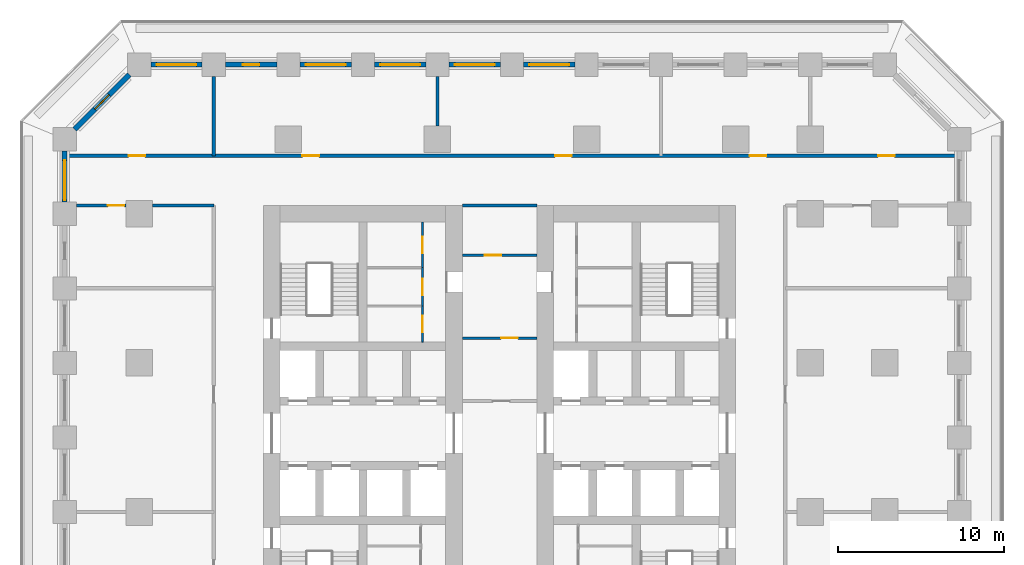
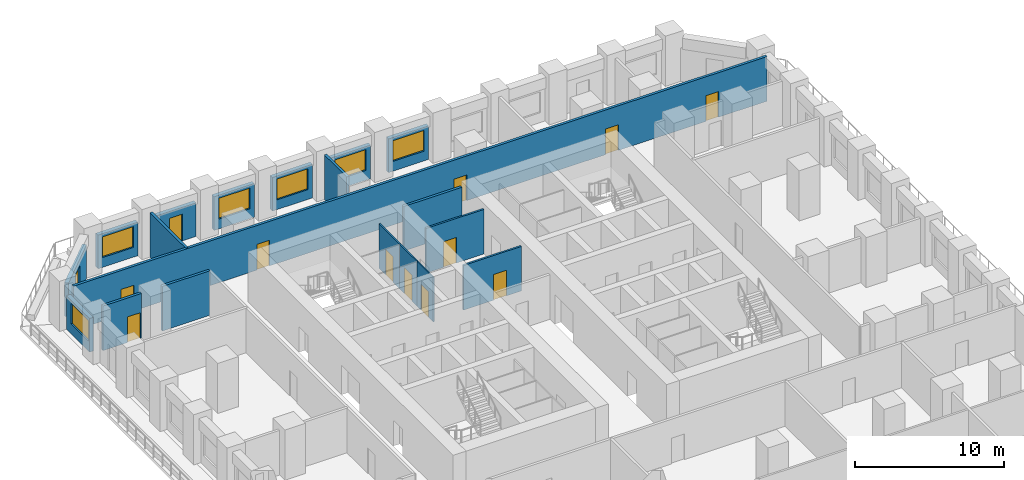
# One storey, part 6 of 11: 19 walls, 13 doors, 6 windows, 19 openings.
"""IFC4 building model written with IfcOpenShell, lengths in metres."""

from ifc_helpers import new_model, si_unit, direction, frame, frame_2d, origin, place, context, subcontext, project, spatial, rectangle, extrude, material, layer, layer_set, type_object, element, fill, save


model = new_model("IFC4")

# Units and contexts
model_context = context("Model", 3, precision=1e-05, world=origin(), true_north=direction((0.0, 1.0)))
body_context = subcontext(model_context, "Body", "Model", "MODEL_VIEW")
ifc_project = project(units=[si_unit("LENGTHUNIT", "METRE"), si_unit("AREAUNIT", "SQUARE_METRE"), si_unit("VOLUMEUNIT", "CUBIC_METRE"), si_unit("PLANEANGLEUNIT", "RADIAN"), si_unit("MASSUNIT", "GRAM", prefix="KILO")], contexts=[model_context])

# Site, building, storey
site_placement = place(None, origin())
site = spatial("IfcSite", under=ifc_project, at=site_placement, CompositionType="ELEMENT")
building_placement = place(site_placement, origin())
building = spatial("IfcBuilding", under=site, at=building_placement, Name="Corbel Stack Research Tower", CompositionType="ELEMENT")
storey_placement = place(building_placement, frame((0.0, 0.0, 54.199951171875)))
storey = spatial("IfcBuildingStorey", under=building, at=storey_placement, Name="L12", CompositionType="ELEMENT", Elevation=54.199951171875)

# Wall, opening, door
ifc_material_1 = material(Name="Gypsum board")
ifc_layer_1 = layer(ifc_material_1, 0.10009765625)
ifc_layer_set_1 = layer_set([ifc_layer_1], Name="Gypsum board")
wall_type_1 = type_object("IfcWallType", Name="Core partition 100", PredefinedType="PARTITIONING", material=ifc_layer_set_1)
wall_1_placement = place(storey_placement, frame((-0.89990234375, 10.25, 0.0), z_axis=(0.0, 0.0, 1.0), x_axis=(0.0, 1.0, 0.0)))
wall_1 = element("IfcWall", 1, at=wall_1_placement, inside=storey, type_object=wall_type_1, Name="Core partition W", PredefinedType="PARTITIONING", context=body_context, shape_type="SweptSolid", body=[
    extrude(rectangle(XDim=2.175048828125, YDim=0.10009765625, at=frame_2d((1.08740234375, 0.0))), origin(), (0.0, 0.0, 1.0), 3.650146484375),
])
opening_1_placement = place(wall_1_placement, frame((0.58740234375, 0.0, 0.0)))
opening_1 = element("IfcOpeningElement", 2, at=opening_1_placement, cuts=wall_1, Name="Opening CR-W42-R2-1000", PredefinedType="OPENING", context=body_context, shape_type="SweptSolid", body=[
    extrude(rectangle(XDim=1.0, YDim=2.10009765625, at=frame_2d((0.5, 1.050048828125))), frame((0.0, 0.06005859375, 0.0), z_axis=(0.0, -1.0, 0.0), x_axis=(1.0, 0.0, 0.0)), (0.0, 0.0, 1.0), 0.1201171875),
])
ifc_material_2 = material(Name="Painted steel door", Category="steel")
door_type_1 = type_object("IfcDoorType", Name="Riser door 1000 x 2100 FD60 right hand", OperationType="SINGLE_SWING_RIGHT", PredefinedType="DOOR", material=ifc_material_2)
door_1_placement = place(opening_1_placement, origin())
door_1 = element("IfcDoor", 3, at=door_1_placement, inside=storey, type_object=door_type_1, Name="Mechanical riser door W core", OperationType="SINGLE_SWING_RIGHT", OverallHeight=2.10009765625, OverallWidth=1.0, PredefinedType="DOOR", context=body_context, shape_type="SweptSolid", body=[
    extrude(rectangle(XDim=1.0, YDim=2.10009765625, at=frame_2d((0.5, 1.050048828125))), frame((0.0, 0.02490234375, 0.0), z_axis=(0.0, -1.0, 0.0), x_axis=(1.0, 0.0, 0.0)), (0.0, 0.0, 1.0), 0.050048828125),
])
fill(opening_1, door_1)

wall_2_placement = place(storey_placement, frame((-0.89990234375, 12.425048828125, 0.0), z_axis=(0.0, 0.0, 1.0), x_axis=(0.0, 1.0, 0.0)))
wall_2 = element("IfcWall", 4, at=wall_2_placement, inside=storey, type_object=wall_type_1, Name="Core partition W", PredefinedType="PARTITIONING", context=body_context, shape_type="SweptSolid", body=[
    extrude(rectangle(XDim=2.320068359375, YDim=0.10009765625, at=frame_2d((1.16015625, 0.0))), origin(), (0.0, 0.0, 1.0), 3.650146484375),
])
opening_2_placement = place(wall_2_placement, frame((0.659912109375, 0.0, 0.0)))
opening_2 = element("IfcOpeningElement", 5, at=opening_2_placement, cuts=wall_2, Name="Opening CR-W42-R3-1000", PredefinedType="OPENING", context=body_context, shape_type="SweptSolid", body=[
    extrude(rectangle(XDim=1.0, YDim=2.10009765625, at=frame_2d((0.5, 1.050048828125))), frame((0.0, 0.06005859375, 0.0), z_axis=(0.0, -1.0, 0.0), x_axis=(1.0, 0.0, 0.0)), (0.0, 0.0, 1.0), 0.1201171875),
])
ifc_material_3 = material(Name="Painted steel door", Category="steel")
door_type_2 = type_object("IfcDoorType", Name="Service door 1000 x 2100 FD30 left hand", OperationType="SINGLE_SWING_LEFT", PredefinedType="DOOR", material=ifc_material_3)
door_2_placement = place(opening_2_placement, origin())
door_2 = element("IfcDoor", 6, at=door_2_placement, inside=storey, type_object=door_type_2, Name="Pantry door W core", OperationType="SINGLE_SWING_LEFT", OverallHeight=2.10009765625, OverallWidth=1.0, PredefinedType="DOOR", context=body_context, shape_type="SweptSolid", body=[
    extrude(rectangle(XDim=1.0, YDim=2.10009765625, at=frame_2d((0.5, 1.050048828125))), frame((0.0, 0.02490234375, 0.0), z_axis=(0.0, -1.0, 0.0), x_axis=(1.0, 0.0, 0.0)), (0.0, 0.0, 1.0), 0.050048828125),
])
fill(opening_2, door_2)

wall_3_placement = place(storey_placement, frame((-0.89990234375, 14.7451171875, 0.0), z_axis=(0.0, 0.0, 1.0), x_axis=(0.0, 1.0, 0.0)))
wall_3 = element("IfcWall", 7, at=wall_3_placement, inside=storey, type_object=wall_type_1, Name="Core partition W", PredefinedType="PARTITIONING", context=body_context, shape_type="SweptSolid", body=[
    extrude(rectangle(XDim=2.7548828125, YDim=0.10009765625, at=frame_2d((1.37744140625, 0.0))), origin(), (0.0, 0.0, 1.0), 3.650146484375),
])
opening_3_placement = place(wall_3_placement, frame((0.87744140625, 0.0, 0.0)))
opening_3 = element("IfcOpeningElement", 8, at=opening_3_placement, cuts=wall_3, Name="Opening CR-W42-R4-1000", PredefinedType="OPENING", context=body_context, shape_type="SweptSolid", body=[
    extrude(rectangle(XDim=1.0, YDim=2.10009765625, at=frame_2d((0.5, 1.050048828125))), frame((0.0, 0.06005859375, 0.0), z_axis=(0.0, -1.0, 0.0), x_axis=(1.0, 0.0, 0.0)), (0.0, 0.0, 1.0), 0.1201171875),
])
door_3_placement = place(opening_3_placement, origin())
door_3 = element("IfcDoor", 9, at=door_3_placement, inside=storey, type_object=door_type_1, Name="Electrical riser door W core", OperationType="SINGLE_SWING_RIGHT", OverallHeight=2.10009765625, OverallWidth=1.0, PredefinedType="DOOR", context=body_context, shape_type="SweptSolid", body=[
    extrude(rectangle(XDim=1.0, YDim=2.10009765625, at=frame_2d((0.5, 1.050048828125))), frame((0.0, 0.02490234375, 0.0), z_axis=(0.0, -1.0, 0.0), x_axis=(1.0, 0.0, 0.0)), (0.0, 0.0, 1.0), 0.050048828125),
])
fill(opening_3, door_3)

# Walls
ifc_material_4 = material(Name="Fire-rated gypsum board partition on steel studs", Category="steel")
ifc_layer_2 = layer(ifc_material_4, 0.199951171875)
ifc_layer_set_2 = layer_set([ifc_layer_2], Name="Fire-rated gypsum board partition on steel studs")
wall_type_2 = type_object("IfcWallType", Name="Fire-rated partition 200 EI 60", PredefinedType="PARTITIONING", material=ifc_layer_set_2)
wall_4_placement = place(storey_placement, frame((-13.5, 21.5, 0.0), z_axis=(0.0, 0.0, 1.0), x_axis=(0.0, 1.0, 0.0)))
element("IfcWall", 10, at=wall_4_placement, inside=storey, type_object=wall_type_2, Name="Partition L12-003", PredefinedType="PARTITIONING", context=body_context, shape_type="SweptSolid", body=[
    extrude(rectangle(XDim=4.800048828125, YDim=0.199951171875, at=frame_2d((2.39990234375, 0.0))), origin(), (0.0, 0.0, 1.0), 3.650146484375),
])
wall_5_placement = place(storey_placement, frame((0.0, 23.300048828125, 0.0), z_axis=(0.0, 0.0, 1.0), x_axis=(0.0, 1.0, 0.0)))
element("IfcWall", 11, at=wall_5_placement, inside=storey, type_object=wall_type_2, Name="Partition L12-006", PredefinedType="PARTITIONING", context=body_context, shape_type="SweptSolid", body=[
    extrude(rectangle(XDim=3.0, YDim=0.199951171875, at=frame_2d((1.5, 0.0))), origin(), (0.0, 0.0, 1.0), 3.650146484375),
])

# Wall, opening, door
wall_6_placement = place(storey_placement, frame((-18.800048828125, 18.5, 0.0), z_axis=(0.0, 0.0, 1.0), x_axis=(-1.0, 0.0, 0.0)))
wall_6 = element("IfcWall", 12, at=wall_6_placement, inside=storey, type_object=wall_type_2, Name="Partition L12-030", PredefinedType="PARTITIONING", context=body_context, shape_type="SweptSolid", body=[
    extrude(rectangle(XDim=3.0, YDim=0.199951171875, at=frame_2d((1.5, 0.0))), origin(), (0.0, 0.0, 1.0), 3.650146484375),
])
opening_4_placement = place(wall_6_placement, frame((0.10009765625, 0.0, 0.0)))
opening_4 = element("IfcOpeningElement", 13, at=opening_4_placement, cuts=wall_6, Name="Opening B2V1-017", PredefinedType="OPENING", context=body_context, shape_type="SweptSolid", body=[
    extrude(rectangle(XDim=1.0, YDim=2.10009765625, at=frame_2d((0.5, 1.050048828125))), frame((0.0, 0.10986328125, 0.0), z_axis=(0.0, -1.0, 0.0), x_axis=(1.0, 0.0, 0.0)), (0.0, 0.0, 1.0), 0.219970703125),
])
ifc_material_5 = material(Name="Painted steel fire door", Category="steel")
door_type_3 = type_object("IfcDoorType", Name="Fire door FD30S 1000 x 2100", OperationType="NOTDEFINED", PredefinedType="DOOR", material=ifc_material_5)
door_4_placement = place(opening_4_placement, origin())
door_4 = element("IfcDoor", 14, at=door_4_placement, inside=storey, type_object=door_type_3, Name="Door B2V1-017", OperationType="SINGLE_SWING_LEFT", OverallHeight=2.10009765625, OverallWidth=1.0, PredefinedType="DOOR", context=body_context, shape_type="SweptSolid", body=[
    extrude(rectangle(XDim=1.0, YDim=2.10009765625, at=frame_2d((0.5, 1.050048828125))), frame((0.0, 0.02490234375, 0.0), z_axis=(0.0, -1.0, 0.0), x_axis=(1.0, 0.0, 0.0)), (0.0, 0.0, 1.0), 0.050048828125),
])
fill(opening_4, door_4)

# Walls
wall_7_placement = place(storey_placement, frame((-17.199951171875, 18.5, 0.0), z_axis=(0.0, 0.0, 1.0), x_axis=(1.0, 0.0, 0.0)))
element("IfcWall", 15, at=wall_7_placement, inside=storey, type_object=wall_type_2, Name="Partition L12-031", PredefinedType="PARTITIONING", context=body_context, shape_type="SweptSolid", body=[
    extrude(rectangle(XDim=3.699951171875, YDim=0.199951171875, at=frame_2d((1.85009765625, 0.0))), origin(), (0.0, 0.0, 1.0), 3.650146484375),
])
wall_8_placement = place(storey_placement, frame((1.5, 18.5, 0.0), z_axis=(0.0, 0.0, 1.0), x_axis=(1.0, 0.0, 0.0)))
element("IfcWall", 16, at=wall_8_placement, inside=storey, type_object=wall_type_2, Name="Partition L12-032", PredefinedType="PARTITIONING", context=body_context, shape_type="SweptSolid", body=[
    extrude(rectangle(XDim=4.5, YDim=0.199951171875, at=frame_2d((2.25, 0.0))), origin(), (0.0, 0.0, 1.0), 3.650146484375),
])

# Wall, openings, doors
wall_9_placement = place(storey_placement, frame((-22.35009765625, 21.5, 0.0), z_axis=(0.0, 0.0, 1.0), x_axis=(1.0, 0.0, 0.0)))
wall_9 = element("IfcWall", 17, at=wall_9_placement, inside=storey, type_object=wall_type_2, Name="Partition L12-036", PredefinedType="PARTITIONING", context=body_context, shape_type="SweptSolid", body=[
    extrude(rectangle(XDim=53.7001953125, YDim=0.199951171875, at=frame_2d((26.85009765625, 0.0))), origin(), (0.0, 0.0, 1.0), 3.650146484375),
])
opening_5_placement = place(wall_9_placement, frame((3.699951171875, 0.0, 0.0)))
opening_5 = element("IfcOpeningElement", 18, at=opening_5_placement, cuts=wall_9, Name="Opening B2V1-020", PredefinedType="OPENING", context=body_context, shape_type="SweptSolid", body=[
    extrude(rectangle(XDim=1.0, YDim=2.10009765625, at=frame_2d((0.5, 1.050048828125))), frame((0.0, 0.10986328125, 0.0), z_axis=(0.0, -1.0, 0.0), x_axis=(1.0, 0.0, 0.0)), (0.0, 0.0, 1.0), 0.219970703125),
])
opening_6_placement = place(wall_9_placement, frame((14.199951171875, 0.0, 0.0)))
opening_6 = element("IfcOpeningElement", 19, at=opening_6_placement, cuts=wall_9, Name="Opening B2V1-021", PredefinedType="OPENING", context=body_context, shape_type="SweptSolid", body=[
    extrude(rectangle(XDim=1.0, YDim=2.10009765625, at=frame_2d((0.5, 1.050048828125))), frame((0.0, 0.10986328125, 0.0), z_axis=(0.0, -1.0, 0.0), x_axis=(1.0, 0.0, 0.0)), (0.0, 0.0, 1.0), 0.219970703125),
])
opening_7_placement = place(wall_9_placement, frame((29.449951171875, 0.0, 0.0)))
opening_7 = element("IfcOpeningElement", 20, at=opening_7_placement, cuts=wall_9, Name="Opening B2V1-022", PredefinedType="OPENING", context=body_context, shape_type="SweptSolid", body=[
    extrude(rectangle(XDim=1.0, YDim=2.10009765625, at=frame_2d((0.5, 1.050048828125))), frame((0.0, 0.10986328125, 0.0), z_axis=(0.0, -1.0, 0.0), x_axis=(1.0, 0.0, 0.0)), (0.0, 0.0, 1.0), 0.219970703125),
])
opening_8_placement = place(wall_9_placement, frame((41.199951171875, 0.0, 0.0)))
opening_8 = element("IfcOpeningElement", 21, at=opening_8_placement, cuts=wall_9, Name="Opening B2V1-023", PredefinedType="OPENING", context=body_context, shape_type="SweptSolid", body=[
    extrude(rectangle(XDim=1.0, YDim=2.10009765625, at=frame_2d((0.5, 1.050048828125))), frame((0.0, 0.10986328125, 0.0), z_axis=(0.0, -1.0, 0.0), x_axis=(1.0, 0.0, 0.0)), (0.0, 0.0, 1.0), 0.219970703125),
])
opening_9_placement = place(wall_9_placement, frame((48.949951171875, 0.0, 0.0)))
opening_9 = element("IfcOpeningElement", 22, at=opening_9_placement, cuts=wall_9, Name="Opening B2V1-024", PredefinedType="OPENING", context=body_context, shape_type="SweptSolid", body=[
    extrude(rectangle(XDim=1.0, YDim=2.10009765625, at=frame_2d((0.5, 1.050048828125))), frame((0.0, 0.10986328125, 0.0), z_axis=(0.0, -1.0, 0.0), x_axis=(1.0, 0.0, 0.0)), (0.0, 0.0, 1.0), 0.219970703125),
])
door_5_placement = place(opening_5_placement, origin())
door_5 = element("IfcDoor", 23, at=door_5_placement, inside=storey, type_object=door_type_3, Name="Door B2V1-020", OperationType="SINGLE_SWING_LEFT", OverallHeight=2.10009765625, OverallWidth=1.0, PredefinedType="DOOR", context=body_context, shape_type="SweptSolid", body=[
    extrude(rectangle(XDim=1.0, YDim=2.10009765625, at=frame_2d((0.5, 1.050048828125))), frame((0.0, 0.02490234375, 0.0), z_axis=(0.0, -1.0, 0.0), x_axis=(1.0, 0.0, 0.0)), (0.0, 0.0, 1.0), 0.050048828125),
])
fill(opening_5, door_5)
door_6_placement = place(opening_6_placement, origin())
door_6 = element("IfcDoor", 24, at=door_6_placement, inside=storey, type_object=door_type_3, Name="Door B2V1-021", OperationType="SINGLE_SWING_LEFT", OverallHeight=2.10009765625, OverallWidth=1.0, PredefinedType="DOOR", context=body_context, shape_type="SweptSolid", body=[
    extrude(rectangle(XDim=1.0, YDim=2.10009765625, at=frame_2d((0.5, 1.050048828125))), frame((0.0, 0.02490234375, 0.0), z_axis=(0.0, -1.0, 0.0), x_axis=(1.0, 0.0, 0.0)), (0.0, 0.0, 1.0), 0.050048828125),
])
fill(opening_6, door_6)
door_7_placement = place(opening_7_placement, origin())
door_7 = element("IfcDoor", 25, at=door_7_placement, inside=storey, type_object=door_type_3, Name="Door B2V1-022", OperationType="SINGLE_SWING_RIGHT", OverallHeight=2.10009765625, OverallWidth=1.0, PredefinedType="DOOR", context=body_context, shape_type="SweptSolid", body=[
    extrude(rectangle(XDim=1.0, YDim=2.10009765625, at=frame_2d((0.5, 1.050048828125))), frame((0.0, 0.02490234375, 0.0), z_axis=(0.0, -1.0, 0.0), x_axis=(1.0, 0.0, 0.0)), (0.0, 0.0, 1.0), 0.050048828125),
])
fill(opening_7, door_7)
door_8_placement = place(opening_8_placement, origin())
door_8 = element("IfcDoor", 26, at=door_8_placement, inside=storey, type_object=door_type_3, Name="Door B2V1-023", OperationType="SINGLE_SWING_RIGHT", OverallHeight=2.10009765625, OverallWidth=1.0, PredefinedType="DOOR", context=body_context, shape_type="SweptSolid", body=[
    extrude(rectangle(XDim=1.0, YDim=2.10009765625, at=frame_2d((0.5, 1.050048828125))), frame((0.0, 0.02490234375, 0.0), z_axis=(0.0, -1.0, 0.0), x_axis=(1.0, 0.0, 0.0)), (0.0, 0.0, 1.0), 0.050048828125),
])
fill(opening_8, door_8)
door_9_placement = place(opening_9_placement, origin())
door_9 = element("IfcDoor", 27, at=door_9_placement, inside=storey, type_object=door_type_3, Name="Door B2V1-024", OperationType="SINGLE_SWING_RIGHT", OverallHeight=2.10009765625, OverallWidth=1.0, PredefinedType="DOOR", context=body_context, shape_type="SweptSolid", body=[
    extrude(rectangle(XDim=1.0, YDim=2.10009765625, at=frame_2d((0.5, 1.050048828125))), frame((0.0, 0.02490234375, 0.0), z_axis=(0.0, -1.0, 0.0), x_axis=(1.0, 0.0, 0.0)), (0.0, 0.0, 1.0), 0.050048828125),
])
fill(opening_9, door_9)

# Wall, opening, door
ifc_material_6 = material(Name="Gypsum board partition on steel studs", Category="steel")
ifc_layer_3 = layer(ifc_material_6, 0.14990234375)
ifc_layer_set_3 = layer_set([ifc_layer_3], Name="Gypsum board partition on steel studs")
wall_type_3 = type_object("IfcWallType", Name="Partition 150", PredefinedType="PARTITIONING", material=ifc_layer_set_3)
wall_10_placement = place(storey_placement, frame((1.5, 10.5, 0.0), z_axis=(0.0, 0.0, 1.0), x_axis=(1.0, 0.0, 0.0)))
wall_10 = element("IfcWall", 28, at=wall_10_placement, inside=storey, type_object=wall_type_3, Name="Partition L12-026", PredefinedType="PARTITIONING", context=body_context, shape_type="SweptSolid", body=[
    extrude(rectangle(XDim=4.5, YDim=0.14990234375, at=frame_2d((2.25, 0.0))), origin(), (0.0, 0.0, 1.0), 3.650146484375),
])
opening_10_placement = place(wall_10_placement, frame((2.35009765625, 0.0, 0.0)))
opening_10 = element("IfcOpeningElement", 29, at=opening_10_placement, cuts=wall_10, Name="Opening B2V1-015", PredefinedType="OPENING", context=body_context, shape_type="SweptSolid", body=[
    extrude(rectangle(XDim=1.0, YDim=2.10009765625, at=frame_2d((0.5, 1.050048828125))), frame((0.0, 0.0849609375, 0.0), z_axis=(0.0, -1.0, 0.0), x_axis=(1.0, 0.0, 0.0)), (0.0, 0.0, 1.0), 0.169921875),
])
ifc_material_7 = material(Name="Painted timber door", Category="wood")
door_type_4 = type_object("IfcDoorType", Name="Single door 1000 x 2100", OperationType="NOTDEFINED", PredefinedType="DOOR", material=ifc_material_7)
door_10_placement = place(opening_10_placement, origin())
door_10 = element("IfcDoor", 30, at=door_10_placement, inside=storey, type_object=door_type_4, Name="Door B2V1-015", OperationType="SINGLE_SWING_RIGHT", OverallHeight=2.10009765625, OverallWidth=1.0, PredefinedType="DOOR", context=body_context, shape_type="SweptSolid", body=[
    extrude(rectangle(XDim=1.0, YDim=2.10009765625, at=frame_2d((0.5, 1.050048828125))), frame((0.0, 0.02490234375, 0.0), z_axis=(0.0, -1.0, 0.0), x_axis=(1.0, 0.0, 0.0)), (0.0, 0.0, 1.0), 0.050048828125),
])
fill(opening_10, door_10)

wall_11_placement = place(storey_placement, frame((1.5, 15.5, 0.0), z_axis=(0.0, 0.0, 1.0), x_axis=(1.0, 0.0, 0.0)))
wall_11 = element("IfcWall", 31, at=wall_11_placement, inside=storey, type_object=wall_type_3, Name="Partition L12-029", PredefinedType="PARTITIONING", context=body_context, shape_type="SweptSolid", body=[
    extrude(rectangle(XDim=4.5, YDim=0.14990234375, at=frame_2d((2.25, 0.0))), origin(), (0.0, 0.0, 1.0), 3.650146484375),
])
opening_11_placement = place(wall_11_placement, frame((1.35009765625, 0.0, 0.0)))
opening_11 = element("IfcOpeningElement", 32, at=opening_11_placement, cuts=wall_11, Name="Opening B2V1-016", PredefinedType="OPENING", context=body_context, shape_type="SweptSolid", body=[
    extrude(rectangle(XDim=1.0, YDim=2.10009765625, at=frame_2d((0.5, 1.050048828125))), frame((0.0, 0.0849609375, 0.0), z_axis=(0.0, -1.0, 0.0), x_axis=(1.0, 0.0, 0.0)), (0.0, 0.0, 1.0), 0.169921875),
])
door_11_placement = place(opening_11_placement, origin())
door_11 = element("IfcDoor", 33, at=door_11_placement, inside=storey, type_object=door_type_4, Name="Door B2V1-016", OperationType="SINGLE_SWING_LEFT", OverallHeight=2.10009765625, OverallWidth=1.0, PredefinedType="DOOR", context=body_context, shape_type="SweptSolid", body=[
    extrude(rectangle(XDim=1.0, YDim=2.10009765625, at=frame_2d((0.5, 1.050048828125))), frame((0.0, 0.02490234375, 0.0), z_axis=(0.0, -1.0, 0.0), x_axis=(1.0, 0.0, 0.0)), (0.0, 0.0, 1.0), 0.050048828125),
])
fill(opening_11, door_11)

# Wall, opening, window
ifc_material_8 = material(Name="Concrete C45/55", Category="concrete")
ifc_layer_4 = layer(ifc_material_8, 0.300048828125)
ifc_layer_set_4 = layer_set([ifc_layer_4], Name="Concrete C45/55")
wall_type_4 = type_object("IfcWallType", Name="Terracotta-faced concrete wall 300", PredefinedType="SOLIDWALL", material=ifc_layer_set_4)
wall_12_placement = place(storey_placement, frame((5.199951171875, 27.0, 0.0), z_axis=(0.0, 0.0, 1.0), x_axis=(1.0, 0.0, 0.0)))
wall_12 = element("IfcWall", 34, at=wall_12_placement, inside=storey, type_object=wall_type_4, Name="Facade wall L12 N05", PredefinedType="SOLIDWALL", context=body_context, shape_type="SweptSolid", body=[
    extrude(rectangle(XDim=3.10009765625, YDim=0.300048828125, at=frame_2d((1.550048828125, 0.0))), origin(), (0.0, 0.0, 1.0), 2.75),
])
opening_12_placement = place(wall_12_placement, frame((0.35009765625, 0.0, 0.800048828125)))
opening_12 = element("IfcOpeningElement", 35, at=opening_12_placement, cuts=wall_12, Name="Opening W1", PredefinedType="OPENING", context=body_context, shape_type="SweptSolid", body=[
    extrude(rectangle(XDim=2.39990234375, YDim=1.699951171875, at=frame_2d((1.199951171875, 0.85009765625))), frame((0.0, 0.159912109375, 0.0), z_axis=(0.0, -1.0, 0.0), x_axis=(1.0, 0.0, 0.0)), (0.0, 0.0, 1.0), 0.320068359375),
])
ifc_material_9 = material(Name="Aluminium frame, clear double glazing", Category="aluminium")
window_type = type_object("IfcWindowType", Name="Window W1 2400 x 1700", PartitioningType="SINGLE_PANEL", PredefinedType="WINDOW", material=ifc_material_9)
window_1_placement = place(opening_12_placement, origin())
window_1 = element("IfcWindow", 36, at=window_1_placement, inside=storey, type_object=window_type, Name="Window W1 L12 N05", OverallHeight=1.699951171875, OverallWidth=2.39990234375, PartitioningType="SINGLE_PANEL", PredefinedType="WINDOW", context=body_context, shape_type="SweptSolid", body=[
    extrude(rectangle(XDim=2.39990234375, YDim=1.699951171875, at=frame_2d((1.199951171875, 0.85009765625))), frame((0.0, 0.030029296875, 0.0), z_axis=(0.0, -1.0, 0.0), x_axis=(1.0, 0.0, 0.0)), (0.0, 0.0, 1.0), 0.06005859375),
])
fill(opening_12, window_1)

wall_13_placement = place(storey_placement, frame((0.699951171875, 27.0, 0.0), z_axis=(0.0, 0.0, 1.0), x_axis=(1.0, 0.0, 0.0)))
wall_13 = element("IfcWall", 37, at=wall_13_placement, inside=storey, type_object=wall_type_4, Name="Facade wall L12 N06", PredefinedType="SOLIDWALL", context=body_context, shape_type="SweptSolid", body=[
    extrude(rectangle(XDim=3.10009765625, YDim=0.300048828125, at=frame_2d((1.550048828125, 0.0))), origin(), (0.0, 0.0, 1.0), 2.75),
])
opening_13_placement = place(wall_13_placement, frame((0.35009765625, 0.0, 0.800048828125)))
opening_13 = element("IfcOpeningElement", 38, at=opening_13_placement, cuts=wall_13, Name="Opening W1", PredefinedType="OPENING", context=body_context, shape_type="SweptSolid", body=[
    extrude(rectangle(XDim=2.39990234375, YDim=1.699951171875, at=frame_2d((1.199951171875, 0.85009765625))), frame((0.0, 0.159912109375, 0.0), z_axis=(0.0, -1.0, 0.0), x_axis=(1.0, 0.0, 0.0)), (0.0, 0.0, 1.0), 0.320068359375),
])
window_2_placement = place(opening_13_placement, origin())
window_2 = element("IfcWindow", 39, at=window_2_placement, inside=storey, type_object=window_type, Name="Window W1 L12 N06", OverallHeight=1.699951171875, OverallWidth=2.39990234375, PartitioningType="SINGLE_PANEL", PredefinedType="WINDOW", context=body_context, shape_type="SweptSolid", body=[
    extrude(rectangle(XDim=2.39990234375, YDim=1.699951171875, at=frame_2d((1.199951171875, 0.85009765625))), frame((0.0, 0.030029296875, 0.0), z_axis=(0.0, -1.0, 0.0), x_axis=(1.0, 0.0, 0.0)), (0.0, 0.0, 1.0), 0.06005859375),
])
fill(opening_13, window_2)

wall_14_placement = place(storey_placement, frame((-3.800048828125, 27.0, 0.0), z_axis=(0.0, 0.0, 1.0), x_axis=(1.0, 0.0, 0.0)))
wall_14 = element("IfcWall", 40, at=wall_14_placement, inside=storey, type_object=wall_type_4, Name="Facade wall L12 N07", PredefinedType="SOLIDWALL", context=body_context, shape_type="SweptSolid", body=[
    extrude(rectangle(XDim=3.10009765625, YDim=0.300048828125, at=frame_2d((1.550048828125, 0.0))), origin(), (0.0, 0.0, 1.0), 2.75),
])
opening_14_placement = place(wall_14_placement, frame((0.35009765625, 0.0, 0.800048828125)))
opening_14 = element("IfcOpeningElement", 41, at=opening_14_placement, cuts=wall_14, Name="Opening W1", PredefinedType="OPENING", context=body_context, shape_type="SweptSolid", body=[
    extrude(rectangle(XDim=2.39990234375, YDim=1.699951171875, at=frame_2d((1.199951171875, 0.85009765625))), frame((0.0, 0.159912109375, 0.0), z_axis=(0.0, -1.0, 0.0), x_axis=(1.0, 0.0, 0.0)), (0.0, 0.0, 1.0), 0.320068359375),
])
window_3_placement = place(opening_14_placement, origin())
window_3 = element("IfcWindow", 42, at=window_3_placement, inside=storey, type_object=window_type, Name="Window W1 L12 N07", OverallHeight=1.699951171875, OverallWidth=2.39990234375, PartitioningType="SINGLE_PANEL", PredefinedType="WINDOW", context=body_context, shape_type="SweptSolid", body=[
    extrude(rectangle(XDim=2.39990234375, YDim=1.699951171875, at=frame_2d((1.199951171875, 0.85009765625))), frame((0.0, 0.030029296875, 0.0), z_axis=(0.0, -1.0, 0.0), x_axis=(1.0, 0.0, 0.0)), (0.0, 0.0, 1.0), 0.06005859375),
])
fill(opening_14, window_3)

wall_15_placement = place(storey_placement, frame((-8.300048828125, 27.0, 0.0), z_axis=(0.0, 0.0, 1.0), x_axis=(1.0, 0.0, 0.0)))
wall_15 = element("IfcWall", 43, at=wall_15_placement, inside=storey, type_object=wall_type_4, Name="Facade wall L12 N08", PredefinedType="SOLIDWALL", context=body_context, shape_type="SweptSolid", body=[
    extrude(rectangle(XDim=3.10009765625, YDim=0.300048828125, at=frame_2d((1.550048828125, 0.0))), origin(), (0.0, 0.0, 1.0), 2.75),
])
opening_15_placement = place(wall_15_placement, frame((0.35009765625, 0.0, 0.800048828125)))
opening_15 = element("IfcOpeningElement", 44, at=opening_15_placement, cuts=wall_15, Name="Opening W1", PredefinedType="OPENING", context=body_context, shape_type="SweptSolid", body=[
    extrude(rectangle(XDim=2.39990234375, YDim=1.699951171875, at=frame_2d((1.199951171875, 0.85009765625))), frame((0.0, 0.159912109375, 0.0), z_axis=(0.0, -1.0, 0.0), x_axis=(1.0, 0.0, 0.0)), (0.0, 0.0, 1.0), 0.320068359375),
])
window_4_placement = place(opening_15_placement, origin())
window_4 = element("IfcWindow", 45, at=window_4_placement, inside=storey, type_object=window_type, Name="Window W1 L12 N08", OverallHeight=1.699951171875, OverallWidth=2.39990234375, PartitioningType="SINGLE_PANEL", PredefinedType="WINDOW", context=body_context, shape_type="SweptSolid", body=[
    extrude(rectangle(XDim=2.39990234375, YDim=1.699951171875, at=frame_2d((1.199951171875, 0.85009765625))), frame((0.0, 0.030029296875, 0.0), z_axis=(0.0, -1.0, 0.0), x_axis=(1.0, 0.0, 0.0)), (0.0, 0.0, 1.0), 0.06005859375),
])
fill(opening_15, window_4)

# Wall, opening, door
wall_16_placement = place(storey_placement, frame((-12.800048828125, 27.0, 0.0), z_axis=(0.0, 0.0, 1.0), x_axis=(1.0, 0.0, 0.0)))
wall_16 = element("IfcWall", 46, at=wall_16_placement, inside=storey, type_object=wall_type_4, Name="Facade wall L12 N09", PredefinedType="SOLIDWALL", context=body_context, shape_type="SweptSolid", body=[
    extrude(rectangle(XDim=3.10009765625, YDim=0.300048828125, at=frame_2d((1.550048828125, 0.0))), origin(), (0.0, 0.0, 1.0), 2.75),
])
opening_16_placement = place(wall_16_placement, frame((1.050048828125, 0.0, 0.0)))
opening_16 = element("IfcOpeningElement", 47, at=opening_16_placement, cuts=wall_16, Name="Opening L12-B08", PredefinedType="OPENING", context=body_context, shape_type="SweptSolid", body=[
    extrude(rectangle(XDim=1.0, YDim=2.199951171875, at=frame_2d((0.5, 1.10009765625))), frame((0.0, 0.159912109375, 0.0), z_axis=(0.0, -1.0, 0.0), x_axis=(1.0, 0.0, 0.0)), (0.0, 0.0, 1.0), 0.320068359375),
])
ifc_material_10 = material(Name="Aluminium frame, clear double glazing", Category="aluminium")
door_type_5 = type_object("IfcDoorType", Name="Balcony door BD1 1000 x 2200", OperationType="NOTDEFINED", PredefinedType="DOOR", material=ifc_material_10)
door_12_placement = place(opening_16_placement, origin())
door_12 = element("IfcDoor", 48, at=door_12_placement, inside=storey, type_object=door_type_5, Name="Balcony door L12-B08", OperationType="SINGLE_SWING_LEFT", OverallHeight=2.199951171875, OverallWidth=1.0, PredefinedType="DOOR", context=body_context, shape_type="SweptSolid", body=[
    extrude(rectangle(XDim=1.0, YDim=2.199951171875, at=frame_2d((0.5, 1.10009765625))), frame((0.0, 0.02490234375, 0.0), z_axis=(0.0, -1.0, 0.0), x_axis=(1.0, 0.0, 0.0)), (0.0, 0.0, 1.0), 0.050048828125),
])
fill(opening_16, door_12)

# Wall, opening, window
wall_17_placement = place(storey_placement, frame((-17.300048828125, 27.0, 0.0), z_axis=(0.0, 0.0, 1.0), x_axis=(1.0, 0.0, 0.0)))
wall_17 = element("IfcWall", 49, at=wall_17_placement, inside=storey, type_object=wall_type_4, Name="Facade wall L12 N10", PredefinedType="SOLIDWALL", context=body_context, shape_type="SweptSolid", body=[
    extrude(rectangle(XDim=3.10009765625, YDim=0.300048828125, at=frame_2d((1.550048828125, 0.0))), origin(), (0.0, 0.0, 1.0), 2.75),
])
opening_17_placement = place(wall_17_placement, frame((0.35009765625, 0.0, 0.800048828125)))
opening_17 = element("IfcOpeningElement", 50, at=opening_17_placement, cuts=wall_17, Name="Opening W1", PredefinedType="OPENING", context=body_context, shape_type="SweptSolid", body=[
    extrude(rectangle(XDim=2.39990234375, YDim=1.699951171875, at=frame_2d((1.199951171875, 0.85009765625))), frame((0.0, 0.159912109375, 0.0), z_axis=(0.0, -1.0, 0.0), x_axis=(1.0, 0.0, 0.0)), (0.0, 0.0, 1.0), 0.320068359375),
])
window_5_placement = place(opening_17_placement, origin())
window_5 = element("IfcWindow", 51, at=window_5_placement, inside=storey, type_object=window_type, Name="Window W1 L12 N10", OverallHeight=1.699951171875, OverallWidth=2.39990234375, PartitioningType="SINGLE_PANEL", PredefinedType="WINDOW", context=body_context, shape_type="SweptSolid", body=[
    extrude(rectangle(XDim=2.39990234375, YDim=1.699951171875, at=frame_2d((1.199951171875, 0.85009765625))), frame((0.0, 0.030029296875, 0.0), z_axis=(0.0, -1.0, 0.0), x_axis=(1.0, 0.0, 0.0)), (0.0, 0.0, 1.0), 0.06005859375),
])
fill(opening_17, window_5)

# Wall, opening, door
wall_18_placement = place(storey_placement, frame((-21.906005859375, 23.093994140625, 0.0), z_axis=(0.0, 0.0, 1.0), x_axis=(0.707106781187, 0.707106781187, 0.0)))
wall_18 = element("IfcWall", 52, at=wall_18_placement, inside=storey, type_object=wall_type_4, Name="Facade wall L12 NW01", PredefinedType="SOLIDWALL", context=body_context, shape_type="SweptSolid", body=[
    extrude(rectangle(XDim=4.683837890625, YDim=0.300048828125, at=frame_2d((2.341796875, 0.0))), origin(), (0.0, 0.0, 1.0), 2.75),
])
opening_18_placement = place(wall_18_placement, frame((1.741943359375, 0.0, 0.0)))
opening_18 = element("IfcOpeningElement", 53, at=opening_18_placement, cuts=wall_18, Name="Opening L12-B09", PredefinedType="OPENING", context=body_context, shape_type="SweptSolid", body=[
    extrude(rectangle(XDim=1.199951171875, YDim=2.199951171875, at=frame_2d((0.60009765625, 1.10009765625))), frame((0.0, 0.159912109375, 0.0), z_axis=(0.0, -1.0, 0.0), x_axis=(1.0, 0.0, 0.0)), (0.0, 0.0, 1.0), 0.320068359375),
])
ifc_material_11 = material(Name="Aluminium frame, clear double glazing", Category="aluminium")
door_type_6 = type_object("IfcDoorType", Name="Balcony door BD2 1200 x 2200", OperationType="NOTDEFINED", PredefinedType="DOOR", material=ifc_material_11)
door_13_placement = place(opening_18_placement, origin())
door_13 = element("IfcDoor", 54, at=door_13_placement, inside=storey, type_object=door_type_6, Name="Balcony door L12-B09", OperationType="SINGLE_SWING_LEFT", OverallHeight=2.199951171875, OverallWidth=1.199951171875, PredefinedType="DOOR", context=body_context, shape_type="SweptSolid", body=[
    extrude(rectangle(XDim=1.199951171875, YDim=2.199951171875, at=frame_2d((0.60009765625, 1.10009765625))), frame((0.0, 0.02490234375, 0.0), z_axis=(0.0, -1.0, 0.0), x_axis=(1.0, 0.0, 0.0)), (0.0, 0.0, 1.0), 0.050048828125),
])
fill(opening_18, door_13)

# Wall, opening, window
wall_19_placement = place(storey_placement, frame((-22.5, 18.699951171875, 0.0), z_axis=(0.0, 0.0, 1.0), x_axis=(0.0, 1.0, 0.0)))
wall_19 = element("IfcWall", 55, at=wall_19_placement, inside=storey, type_object=wall_type_4, Name="Facade wall L12 W01", PredefinedType="SOLIDWALL", context=body_context, shape_type="SweptSolid", body=[
    extrude(rectangle(XDim=3.10009765625, YDim=0.300048828125, at=frame_2d((1.550048828125, 0.0))), origin(), (0.0, 0.0, 1.0), 2.75),
])
opening_19_placement = place(wall_19_placement, frame((0.125, 0.0, 0.800048828125)))
opening_19 = element("IfcOpeningElement", 56, at=opening_19_placement, cuts=wall_19, Name="Opening W1", PredefinedType="OPENING", context=body_context, shape_type="SweptSolid", body=[
    extrude(rectangle(XDim=2.39990234375, YDim=1.699951171875, at=frame_2d((1.199951171875, 0.85009765625))), frame((0.0, 0.159912109375, 0.0), z_axis=(0.0, -1.0, 0.0), x_axis=(1.0, 0.0, 0.0)), (0.0, 0.0, 1.0), 0.320068359375),
])
window_6_placement = place(opening_19_placement, origin())
window_6 = element("IfcWindow", 57, at=window_6_placement, inside=storey, type_object=window_type, Name="Window W1 L12 W01", OverallHeight=1.699951171875, OverallWidth=2.39990234375, PartitioningType="SINGLE_PANEL", PredefinedType="WINDOW", context=body_context, shape_type="SweptSolid", body=[
    extrude(rectangle(XDim=2.39990234375, YDim=1.699951171875, at=frame_2d((1.199951171875, 0.85009765625))), frame((0.0, 0.030029296875, 0.0), z_axis=(0.0, -1.0, 0.0), x_axis=(1.0, 0.0, 0.0)), (0.0, 0.0, 1.0), 0.06005859375),
])
fill(opening_19, window_6)

save(model, "model.ifc")
